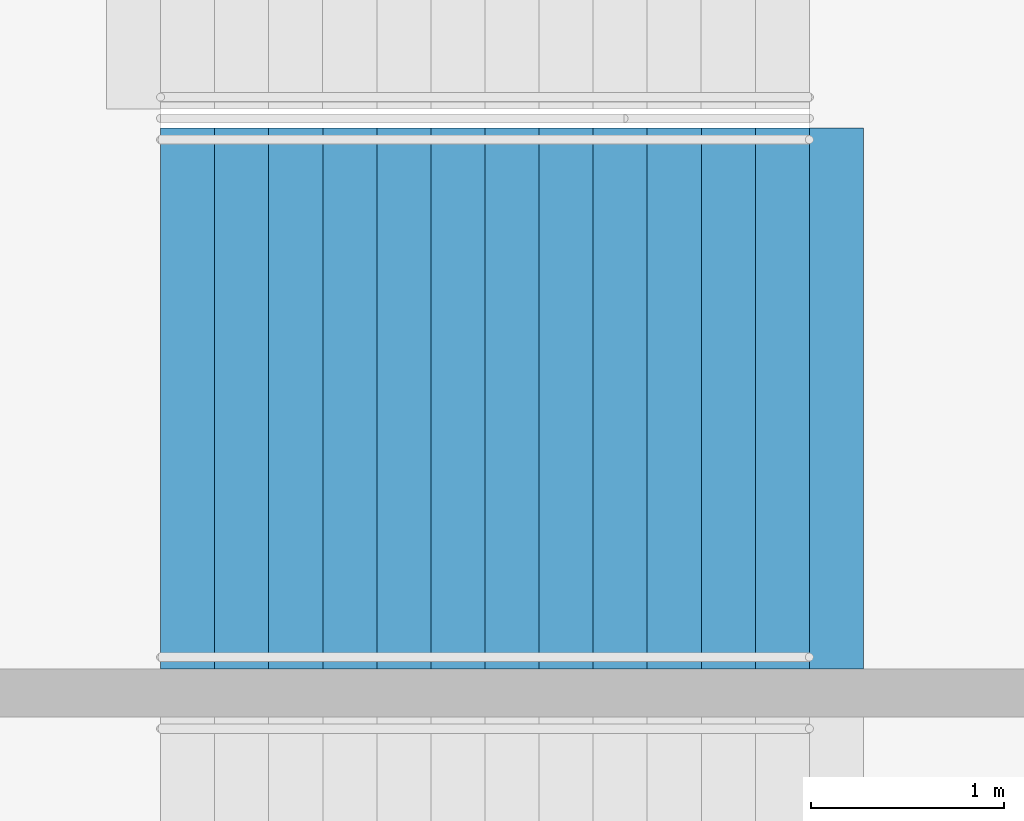
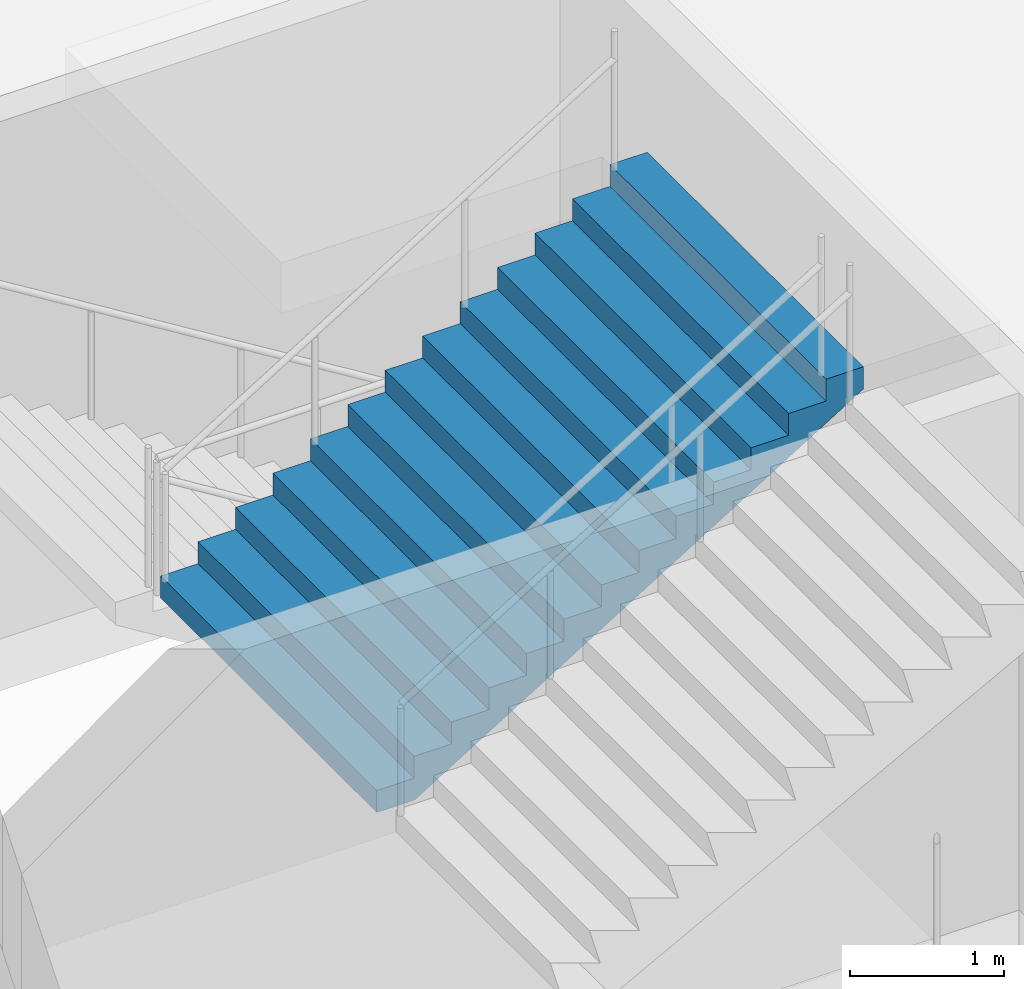
# One storey, part 153 of 199: 1 stair flight, 1 element without a shape of its own.
"""IFC4 building model written with IfcOpenShell, lengths in metres."""

from ifc_helpers import new_model, si_unit, direction, frame, origin, place, context, subcontext, project, spatial, faceted_brep, material, type_object, element, aggregate, save


model = new_model("IFC4")

# Units and contexts
model_context = context("Model", 3, precision=1e-05, world=origin(), true_north=direction((0.0, 1.0)))
body_context = subcontext(model_context, "Body", "Model", "MODEL_VIEW")
ifc_project = project(units=[si_unit("LENGTHUNIT", "METRE"), si_unit("AREAUNIT", "SQUARE_METRE"), si_unit("VOLUMEUNIT", "CUBIC_METRE"), si_unit("PLANEANGLEUNIT", "RADIAN"), si_unit("MASSUNIT", "GRAM", prefix="KILO")], contexts=[model_context])

# Site, building, storey
site_placement = place(None, origin())
site = spatial("IfcSite", under=ifc_project, at=site_placement, CompositionType="ELEMENT")
building_placement = place(site_placement, origin())
building = spatial("IfcBuilding", under=site, at=building_placement, Name="Ogive Plaza Stadium", CompositionType="ELEMENT")
storey_placement = place(building_placement, frame((0.0, 0.0, 9.0)))
storey = spatial("IfcBuildingStorey", under=building, at=storey_placement, Name="L02", CompositionType="ELEMENT", Elevation=9.0)

# Stair, stair flight
ifc_material_1 = material(Name="Concrete C40/50", Category="concrete")
stair_type = type_object("IfcStairType", Name="Exit stair", PredefinedType="STRAIGHT_RUN_STAIR", material=ifc_material_1)
stair_placement = place(storey_placement, origin())
stair = element("IfcStair", 1, at=stair_placement, inside=storey, type_object=stair_type, Name="Exit stair ST28A L02 to L03", PredefinedType="STRAIGHT_RUN_STAIR")
ifc_material_2 = material(Name="Concrete C40/50", Category="concrete")
stair_flight_type = type_object("IfcStairFlightType", Name="Exit stair flight", PredefinedType="STRAIGHT", material=ifc_material_2)
stair_flight_placement = place(storey_placement, frame((-79.7099609375, 54.02490234375, 2.25), z_axis=(0.0, 0.0, 1.0), x_axis=(1.0, 0.0, 0.0)))
stair_flight = element("IfcStairFlight", 2, at=stair_flight_placement, type_object=stair_flight_type, Name="ST28A flight 2", NumberOfRisers=13, NumberOfTreads=12, PredefinedType="STRAIGHT", RiserHeight=0.173076923, TreadLength=0.28, context=body_context, shape_type="Brep", body=[
    faceted_brep([(0.28515625, -1.39990234375, 0.0), (3.639892578125, -1.39990234375, 2.07373046875), (3.639892578125, -1.39990234375, 2.25), (3.360107421875, -1.39990234375, 2.25), (3.360107421875, -1.39990234375, 2.076904296875), (3.080078125, -1.39990234375, 2.076904296875), (3.080078125, -1.39990234375, 1.90380859375), (2.800048828125, -1.39990234375, 1.90380859375), (2.800048828125, -1.39990234375, 1.730712890625), (2.52001953125, -1.39990234375, 1.730712890625), (2.52001953125, -1.39990234375, 1.5576171875), (2.239990234375, -1.39990234375, 1.5576171875), (2.239990234375, -1.39990234375, 1.384521484375), (1.9599609375, -1.39990234375, 1.384521484375), (1.9599609375, -1.39990234375, 1.21142578125), (1.679931640625, -1.39990234375, 1.21142578125), (1.679931640625, -1.39990234375, 1.03857421875), (1.39990234375, -1.39990234375, 1.03857421875), (1.39990234375, -1.39990234375, 0.865478515625), (1.1201171875, -1.39990234375, 0.865478515625), (1.1201171875, -1.39990234375, 0.6923828125), (0.840087890625, -1.39990234375, 0.6923828125), (0.840087890625, -1.39990234375, 0.519287109375), (0.56005859375, -1.39990234375, 0.519287109375), (0.56005859375, -1.39990234375, 0.34619140625), (0.280029296875, -1.39990234375, 0.34619140625), (0.280029296875, -1.39990234375, 0.173095703125), (0.0, -1.39990234375, 0.173095703125), (0.0, -1.39990234375, 0.0), (0.0, 1.39990234375, 0.0), (0.0, 1.39990234375, 0.173095703125), (0.280029296875, 1.39990234375, 0.173095703125), (0.280029296875, 1.39990234375, 0.34619140625), (0.56005859375, 1.39990234375, 0.34619140625), (0.56005859375, 1.39990234375, 0.519287109375), (0.840087890625, 1.39990234375, 0.519287109375), (0.840087890625, 1.39990234375, 0.6923828125), (1.1201171875, 1.39990234375, 0.6923828125), (1.1201171875, 1.39990234375, 0.865478515625), (1.39990234375, 1.39990234375, 0.865478515625), (1.39990234375, 1.39990234375, 1.03857421875), (1.679931640625, 1.39990234375, 1.03857421875), (1.679931640625, 1.39990234375, 1.21142578125), (1.9599609375, 1.39990234375, 1.21142578125), (1.9599609375, 1.39990234375, 1.384521484375), (2.239990234375, 1.39990234375, 1.384521484375), (2.239990234375, 1.39990234375, 1.5576171875), (2.52001953125, 1.39990234375, 1.5576171875), (2.52001953125, 1.39990234375, 1.730712890625), (2.800048828125, 1.39990234375, 1.730712890625), (2.800048828125, 1.39990234375, 1.90380859375), (3.080078125, 1.39990234375, 1.90380859375), (3.080078125, 1.39990234375, 2.076904296875), (3.360107421875, 1.39990234375, 2.076904296875), (3.360107421875, 1.39990234375, 2.25), (3.639892578125, 1.39990234375, 2.25), (3.639892578125, 1.39990234375, 2.07373046875), (0.28515625, 1.39990234375, 0.0), (0.28515625, -1.0888671875, 0.0), (3.639892578125, -1.0888671875, 2.07373046875), (0.28515625, -0.77783203125, 0.0), (3.639892578125, -0.77783203125, 2.07373046875), (0.28515625, -0.466796875, 0.0), (3.639892578125, -0.466796875, 2.07373046875), (0.28515625, -0.155517578125, 0.0), (3.639892578125, -0.155517578125, 2.07373046875), (0.28515625, 0.155517578125, 0.0), (3.639892578125, 0.155517578125, 2.07373046875), (0.28515625, 0.466796875, 0.0), (3.639892578125, 0.466796875, 2.07373046875), (0.28515625, 0.77783203125, 0.0), (3.639892578125, 0.77783203125, 2.07373046875), (0.28515625, 1.0888671875, 0.0), (3.639892578125, 1.0888671875, 2.07373046875), (3.639892578125, -1.0888671875, 2.25), (3.639892578125, -0.77783203125, 2.25), (3.639892578125, -0.466796875, 2.25), (3.639892578125, -0.155517578125, 2.25), (3.639892578125, 0.155517578125, 2.25), (3.639892578125, 0.466796875, 2.25), (3.639892578125, 0.77783203125, 2.25), (3.639892578125, 1.0888671875, 2.25), (3.360107421875, -1.0888671875, 2.25), (3.360107421875, -0.77783203125, 2.25), (3.360107421875, -0.466796875, 2.25), (3.360107421875, -0.155517578125, 2.25), (3.360107421875, 0.155517578125, 2.25), (3.360107421875, 0.466796875, 2.25), (3.360107421875, 0.77783203125, 2.25), (3.360107421875, 1.0888671875, 2.25), (3.360107421875, -1.0888671875, 2.076904296875), (3.360107421875, -0.77783203125, 2.076904296875), (3.360107421875, -0.466796875, 2.076904296875), (3.360107421875, -0.155517578125, 2.076904296875), (3.360107421875, 0.155517578125, 2.076904296875), (3.360107421875, 0.466796875, 2.076904296875), (3.360107421875, 0.77783203125, 2.076904296875), (3.360107421875, 1.0888671875, 2.076904296875), (3.080078125, -1.0888671875, 2.076904296875), (3.080078125, -0.77783203125, 2.076904296875), (3.080078125, -0.466796875, 2.076904296875), (3.080078125, -0.155517578125, 2.076904296875), (3.080078125, 0.155517578125, 2.076904296875), (3.080078125, 0.466796875, 2.076904296875), (3.080078125, 0.77783203125, 2.076904296875), (3.080078125, 1.0888671875, 2.076904296875), (3.080078125, -1.0888671875, 1.90380859375), (3.080078125, -0.77783203125, 1.90380859375), (3.080078125, -0.466796875, 1.90380859375), (3.080078125, -0.155517578125, 1.90380859375), (3.080078125, 0.155517578125, 1.90380859375), (3.080078125, 0.466796875, 1.90380859375), (3.080078125, 0.77783203125, 1.90380859375), (3.080078125, 1.0888671875, 1.90380859375), (2.800048828125, -1.0888671875, 1.90380859375), (2.800048828125, -0.77783203125, 1.90380859375), (2.800048828125, -0.466796875, 1.90380859375), (2.800048828125, -0.155517578125, 1.90380859375), (2.800048828125, 0.155517578125, 1.90380859375), (2.800048828125, 0.466796875, 1.90380859375), (2.800048828125, 0.77783203125, 1.90380859375), (2.800048828125, 1.0888671875, 1.90380859375), (2.800048828125, -1.0888671875, 1.730712890625), (2.800048828125, -0.77783203125, 1.730712890625), (2.800048828125, -0.466796875, 1.730712890625), (2.800048828125, -0.155517578125, 1.730712890625), (2.800048828125, 0.155517578125, 1.730712890625), (2.800048828125, 0.466796875, 1.730712890625), (2.800048828125, 0.77783203125, 1.730712890625), (2.800048828125, 1.0888671875, 1.730712890625), (2.52001953125, -1.0888671875, 1.730712890625), (2.52001953125, -0.77783203125, 1.730712890625), (2.52001953125, -0.466796875, 1.730712890625), (2.52001953125, -0.155517578125, 1.730712890625), (2.52001953125, 0.155517578125, 1.730712890625), (2.52001953125, 0.466796875, 1.730712890625), (2.52001953125, 0.77783203125, 1.730712890625), (2.52001953125, 1.0888671875, 1.730712890625), (2.52001953125, -1.0888671875, 1.5576171875), (2.52001953125, -0.77783203125, 1.5576171875), (2.52001953125, -0.466796875, 1.5576171875), (2.52001953125, -0.155517578125, 1.5576171875), (2.52001953125, 0.155517578125, 1.5576171875), (2.52001953125, 0.466796875, 1.5576171875), (2.52001953125, 0.77783203125, 1.5576171875), (2.52001953125, 1.0888671875, 1.5576171875), (2.239990234375, -1.0888671875, 1.5576171875), (2.239990234375, -0.77783203125, 1.5576171875), (2.239990234375, -0.466796875, 1.5576171875), (2.239990234375, -0.155517578125, 1.5576171875), (2.239990234375, 0.155517578125, 1.5576171875), (2.239990234375, 0.466796875, 1.5576171875), (2.239990234375, 0.77783203125, 1.5576171875), (2.239990234375, 1.0888671875, 1.5576171875), (2.239990234375, -1.0888671875, 1.384521484375), (2.239990234375, -0.77783203125, 1.384521484375), (2.239990234375, -0.466796875, 1.384521484375), (2.239990234375, -0.155517578125, 1.384521484375), (2.239990234375, 0.155517578125, 1.384521484375), (2.239990234375, 0.466796875, 1.384521484375), (2.239990234375, 0.77783203125, 1.384521484375), (2.239990234375, 1.0888671875, 1.384521484375), (1.9599609375, -1.0888671875, 1.384521484375), (1.9599609375, -0.77783203125, 1.384521484375), (1.9599609375, -0.466796875, 1.384521484375), (1.9599609375, -0.155517578125, 1.384521484375), (1.9599609375, 0.155517578125, 1.384521484375), (1.9599609375, 0.466796875, 1.384521484375), (1.9599609375, 0.77783203125, 1.384521484375), (1.9599609375, 1.0888671875, 1.384521484375), (1.9599609375, -1.0888671875, 1.21142578125), (1.9599609375, -0.77783203125, 1.21142578125), (1.9599609375, -0.466796875, 1.21142578125), (1.9599609375, -0.155517578125, 1.21142578125), (1.9599609375, 0.155517578125, 1.21142578125), (1.9599609375, 0.466796875, 1.21142578125), (1.9599609375, 0.77783203125, 1.21142578125), (1.9599609375, 1.0888671875, 1.21142578125), (1.679931640625, -1.0888671875, 1.21142578125), (1.679931640625, -0.77783203125, 1.21142578125), (1.679931640625, -0.466796875, 1.21142578125), (1.679931640625, -0.155517578125, 1.21142578125), (1.679931640625, 0.155517578125, 1.21142578125), (1.679931640625, 0.466796875, 1.21142578125), (1.679931640625, 0.77783203125, 1.21142578125), (1.679931640625, 1.0888671875, 1.21142578125), (1.679931640625, -1.0888671875, 1.03857421875), (1.679931640625, -0.77783203125, 1.03857421875), (1.679931640625, -0.466796875, 1.03857421875), (1.679931640625, -0.155517578125, 1.03857421875), (1.679931640625, 0.155517578125, 1.03857421875), (1.679931640625, 0.466796875, 1.03857421875), (1.679931640625, 0.77783203125, 1.03857421875), (1.679931640625, 1.0888671875, 1.03857421875), (1.39990234375, -1.0888671875, 1.03857421875), (1.39990234375, -0.77783203125, 1.03857421875), (1.39990234375, -0.466796875, 1.03857421875), (1.39990234375, -0.155517578125, 1.03857421875), (1.39990234375, 0.155517578125, 1.03857421875), (1.39990234375, 0.466796875, 1.03857421875), (1.39990234375, 0.77783203125, 1.03857421875), (1.39990234375, 1.0888671875, 1.03857421875), (1.39990234375, -1.0888671875, 0.865478515625), (1.39990234375, -0.77783203125, 0.865478515625), (1.39990234375, -0.466796875, 0.865478515625), (1.39990234375, -0.155517578125, 0.865478515625), (1.39990234375, 0.155517578125, 0.865478515625), (1.39990234375, 0.466796875, 0.865478515625), (1.39990234375, 0.77783203125, 0.865478515625), (1.39990234375, 1.0888671875, 0.865478515625), (1.1201171875, -1.0888671875, 0.865478515625), (1.1201171875, -0.77783203125, 0.865478515625), (1.1201171875, -0.466796875, 0.865478515625), (1.1201171875, -0.155517578125, 0.865478515625), (1.1201171875, 0.155517578125, 0.865478515625), (1.1201171875, 0.466796875, 0.865478515625), (1.1201171875, 0.77783203125, 0.865478515625), (1.1201171875, 1.0888671875, 0.865478515625), (1.1201171875, -1.0888671875, 0.6923828125), (1.1201171875, -0.77783203125, 0.6923828125), (1.1201171875, -0.466796875, 0.6923828125), (1.1201171875, -0.155517578125, 0.6923828125), (1.1201171875, 0.155517578125, 0.6923828125), (1.1201171875, 0.466796875, 0.6923828125), (1.1201171875, 0.77783203125, 0.6923828125), (1.1201171875, 1.0888671875, 0.6923828125), (0.840087890625, -1.0888671875, 0.6923828125), (0.840087890625, -0.77783203125, 0.6923828125), (0.840087890625, -0.466796875, 0.6923828125), (0.840087890625, -0.155517578125, 0.6923828125), (0.840087890625, 0.155517578125, 0.6923828125), (0.840087890625, 0.466796875, 0.6923828125), (0.840087890625, 0.77783203125, 0.6923828125), (0.840087890625, 1.0888671875, 0.6923828125), (0.840087890625, -1.0888671875, 0.519287109375), (0.840087890625, -0.77783203125, 0.519287109375), (0.840087890625, -0.466796875, 0.519287109375), (0.840087890625, -0.155517578125, 0.519287109375), (0.840087890625, 0.155517578125, 0.519287109375), (0.840087890625, 0.466796875, 0.519287109375), (0.840087890625, 0.77783203125, 0.519287109375), (0.840087890625, 1.0888671875, 0.519287109375), (0.56005859375, -1.0888671875, 0.519287109375), (0.56005859375, -0.77783203125, 0.519287109375), (0.56005859375, -0.466796875, 0.519287109375), (0.56005859375, -0.155517578125, 0.519287109375), (0.56005859375, 0.155517578125, 0.519287109375), (0.56005859375, 0.466796875, 0.519287109375), (0.56005859375, 0.77783203125, 0.519287109375), (0.56005859375, 1.0888671875, 0.519287109375), (0.56005859375, -1.0888671875, 0.34619140625), (0.56005859375, -0.77783203125, 0.34619140625), (0.56005859375, -0.466796875, 0.34619140625), (0.56005859375, -0.155517578125, 0.34619140625), (0.56005859375, 0.155517578125, 0.34619140625), (0.56005859375, 0.466796875, 0.34619140625), (0.56005859375, 0.77783203125, 0.34619140625), (0.56005859375, 1.0888671875, 0.34619140625), (0.280029296875, -1.0888671875, 0.34619140625), (0.280029296875, -0.77783203125, 0.34619140625), (0.280029296875, -0.466796875, 0.34619140625), (0.280029296875, -0.155517578125, 0.34619140625), (0.280029296875, 0.155517578125, 0.34619140625), (0.280029296875, 0.466796875, 0.34619140625), (0.280029296875, 0.77783203125, 0.34619140625), (0.280029296875, 1.0888671875, 0.34619140625), (0.280029296875, -1.0888671875, 0.173095703125), (0.280029296875, -0.77783203125, 0.173095703125), (0.280029296875, -0.466796875, 0.173095703125), (0.280029296875, -0.155517578125, 0.173095703125), (0.280029296875, 0.155517578125, 0.173095703125), (0.280029296875, 0.466796875, 0.173095703125), (0.280029296875, 0.77783203125, 0.173095703125), (0.280029296875, 1.0888671875, 0.173095703125), (0.0, -1.0888671875, 0.173095703125), (0.0, -0.77783203125, 0.173095703125), (0.0, -0.466796875, 0.173095703125), (0.0, -0.155517578125, 0.173095703125), (0.0, 0.155517578125, 0.173095703125), (0.0, 0.466796875, 0.173095703125), (0.0, 0.77783203125, 0.173095703125), (0.0, 1.0888671875, 0.173095703125), (0.0, -1.0888671875, 0.0), (0.0, -0.77783203125, 0.0), (0.0, -0.466796875, 0.0), (0.0, -0.155517578125, 0.0), (0.0, 0.155517578125, 0.0), (0.0, 0.466796875, 0.0), (0.0, 0.77783203125, 0.0), (0.0, 1.0888671875, 0.0)], [[[0, 1, 2, 3, 4, 5, 6, 7, 8, 9, 10, 11, 12, 13, 14, 15, 16, 17, 18, 19, 20, 21, 22, 23, 24, 25, 26, 27, 28]], [[29, 30, 31, 32, 33, 34, 35, 36, 37, 38, 39, 40, 41, 42, 43, 44, 45, 46, 47, 48, 49, 50, 51, 52, 53, 54, 55, 56, 57]], [[0, 58, 59, 1]], [[58, 60, 61, 59]], [[60, 62, 63, 61]], [[62, 64, 65, 63]], [[64, 66, 67, 65]], [[66, 68, 69, 67]], [[68, 70, 71, 69]], [[70, 72, 73, 71]], [[72, 57, 56, 73]], [[1, 59, 74, 2]], [[59, 61, 75, 74]], [[61, 63, 76, 75]], [[63, 65, 77, 76]], [[65, 67, 78, 77]], [[67, 69, 79, 78]], [[69, 71, 80, 79]], [[71, 73, 81, 80]], [[73, 56, 55, 81]], [[2, 74, 82, 3]], [[74, 75, 83, 82]], [[75, 76, 84, 83]], [[76, 77, 85, 84]], [[77, 78, 86, 85]], [[78, 79, 87, 86]], [[79, 80, 88, 87]], [[80, 81, 89, 88]], [[81, 55, 54, 89]], [[3, 82, 90, 4]], [[82, 83, 91, 90]], [[83, 84, 92, 91]], [[84, 85, 93, 92]], [[85, 86, 94, 93]], [[86, 87, 95, 94]], [[87, 88, 96, 95]], [[88, 89, 97, 96]], [[89, 54, 53, 97]], [[4, 90, 98, 5]], [[90, 91, 99, 98]], [[91, 92, 100, 99]], [[92, 93, 101, 100]], [[93, 94, 102, 101]], [[94, 95, 103, 102]], [[95, 96, 104, 103]], [[96, 97, 105, 104]], [[97, 53, 52, 105]], [[5, 98, 106, 6]], [[98, 99, 107, 106]], [[99, 100, 108, 107]], [[100, 101, 109, 108]], [[101, 102, 110, 109]], [[102, 103, 111, 110]], [[103, 104, 112, 111]], [[104, 105, 113, 112]], [[105, 52, 51, 113]], [[6, 106, 114, 7]], [[106, 107, 115, 114]], [[107, 108, 116, 115]], [[108, 109, 117, 116]], [[109, 110, 118, 117]], [[110, 111, 119, 118]], [[111, 112, 120, 119]], [[112, 113, 121, 120]], [[113, 51, 50, 121]], [[7, 114, 122, 8]], [[114, 115, 123, 122]], [[115, 116, 124, 123]], [[116, 117, 125, 124]], [[117, 118, 126, 125]], [[118, 119, 127, 126]], [[119, 120, 128, 127]], [[120, 121, 129, 128]], [[121, 50, 49, 129]], [[8, 122, 130, 9]], [[122, 123, 131, 130]], [[123, 124, 132, 131]], [[124, 125, 133, 132]], [[125, 126, 134, 133]], [[126, 127, 135, 134]], [[127, 128, 136, 135]], [[128, 129, 137, 136]], [[129, 49, 48, 137]], [[9, 130, 138, 10]], [[130, 131, 139, 138]], [[131, 132, 140, 139]], [[132, 133, 141, 140]], [[133, 134, 142, 141]], [[134, 135, 143, 142]], [[135, 136, 144, 143]], [[136, 137, 145, 144]], [[137, 48, 47, 145]], [[10, 138, 146, 11]], [[138, 139, 147, 146]], [[139, 140, 148, 147]], [[140, 141, 149, 148]], [[141, 142, 150, 149]], [[142, 143, 151, 150]], [[143, 144, 152, 151]], [[144, 145, 153, 152]], [[145, 47, 46, 153]], [[11, 146, 154, 12]], [[146, 147, 155, 154]], [[147, 148, 156, 155]], [[148, 149, 157, 156]], [[149, 150, 158, 157]], [[150, 151, 159, 158]], [[151, 152, 160, 159]], [[152, 153, 161, 160]], [[153, 46, 45, 161]], [[12, 154, 162, 13]], [[154, 155, 163, 162]], [[155, 156, 164, 163]], [[156, 157, 165, 164]], [[157, 158, 166, 165]], [[158, 159, 167, 166]], [[159, 160, 168, 167]], [[160, 161, 169, 168]], [[161, 45, 44, 169]], [[13, 162, 170, 14]], [[162, 163, 171, 170]], [[163, 164, 172, 171]], [[164, 165, 173, 172]], [[165, 166, 174, 173]], [[166, 167, 175, 174]], [[167, 168, 176, 175]], [[168, 169, 177, 176]], [[169, 44, 43, 177]], [[14, 170, 178, 15]], [[170, 171, 179, 178]], [[171, 172, 180, 179]], [[172, 173, 181, 180]], [[173, 174, 182, 181]], [[174, 175, 183, 182]], [[175, 176, 184, 183]], [[176, 177, 185, 184]], [[177, 43, 42, 185]], [[15, 178, 186, 16]], [[178, 179, 187, 186]], [[179, 180, 188, 187]], [[180, 181, 189, 188]], [[181, 182, 190, 189]], [[182, 183, 191, 190]], [[183, 184, 192, 191]], [[184, 185, 193, 192]], [[185, 42, 41, 193]], [[16, 186, 194, 17]], [[186, 187, 195, 194]], [[187, 188, 196, 195]], [[188, 189, 197, 196]], [[189, 190, 198, 197]], [[190, 191, 199, 198]], [[191, 192, 200, 199]], [[192, 193, 201, 200]], [[193, 41, 40, 201]], [[17, 194, 202, 18]], [[194, 195, 203, 202]], [[195, 196, 204, 203]], [[196, 197, 205, 204]], [[197, 198, 206, 205]], [[198, 199, 207, 206]], [[199, 200, 208, 207]], [[200, 201, 209, 208]], [[201, 40, 39, 209]], [[18, 202, 210, 19]], [[202, 203, 211, 210]], [[203, 204, 212, 211]], [[204, 205, 213, 212]], [[205, 206, 214, 213]], [[206, 207, 215, 214]], [[207, 208, 216, 215]], [[208, 209, 217, 216]], [[209, 39, 38, 217]], [[19, 210, 218, 20]], [[210, 211, 219, 218]], [[211, 212, 220, 219]], [[212, 213, 221, 220]], [[213, 214, 222, 221]], [[214, 215, 223, 222]], [[215, 216, 224, 223]], [[216, 217, 225, 224]], [[217, 38, 37, 225]], [[20, 218, 226, 21]], [[218, 219, 227, 226]], [[219, 220, 228, 227]], [[220, 221, 229, 228]], [[221, 222, 230, 229]], [[222, 223, 231, 230]], [[223, 224, 232, 231]], [[224, 225, 233, 232]], [[225, 37, 36, 233]], [[21, 226, 234, 22]], [[226, 227, 235, 234]], [[227, 228, 236, 235]], [[228, 229, 237, 236]], [[229, 230, 238, 237]], [[230, 231, 239, 238]], [[231, 232, 240, 239]], [[232, 233, 241, 240]], [[233, 36, 35, 241]], [[22, 234, 242, 23]], [[234, 235, 243, 242]], [[235, 236, 244, 243]], [[236, 237, 245, 244]], [[237, 238, 246, 245]], [[238, 239, 247, 246]], [[239, 240, 248, 247]], [[240, 241, 249, 248]], [[241, 35, 34, 249]], [[23, 242, 250, 24]], [[242, 243, 251, 250]], [[243, 244, 252, 251]], [[244, 245, 253, 252]], [[245, 246, 254, 253]], [[246, 247, 255, 254]], [[247, 248, 256, 255]], [[248, 249, 257, 256]], [[249, 34, 33, 257]], [[24, 250, 258, 25]], [[250, 251, 259, 258]], [[251, 252, 260, 259]], [[252, 253, 261, 260]], [[253, 254, 262, 261]], [[254, 255, 263, 262]], [[255, 256, 264, 263]], [[256, 257, 265, 264]], [[257, 33, 32, 265]], [[25, 258, 266, 26]], [[258, 259, 267, 266]], [[259, 260, 268, 267]], [[260, 261, 269, 268]], [[261, 262, 270, 269]], [[262, 263, 271, 270]], [[263, 264, 272, 271]], [[264, 265, 273, 272]], [[265, 32, 31, 273]], [[26, 266, 274, 27]], [[266, 267, 275, 274]], [[267, 268, 276, 275]], [[268, 269, 277, 276]], [[269, 270, 278, 277]], [[270, 271, 279, 278]], [[271, 272, 280, 279]], [[272, 273, 281, 280]], [[273, 31, 30, 281]], [[27, 274, 282, 28]], [[274, 275, 283, 282]], [[275, 276, 284, 283]], [[276, 277, 285, 284]], [[277, 278, 286, 285]], [[278, 279, 287, 286]], [[279, 280, 288, 287]], [[280, 281, 289, 288]], [[281, 30, 29, 289]], [[28, 282, 58, 0]], [[282, 283, 60, 58]], [[283, 284, 62, 60]], [[284, 285, 64, 62]], [[285, 286, 66, 64]], [[286, 287, 68, 66]], [[287, 288, 70, 68]], [[288, 289, 72, 70]], [[289, 29, 57, 72]]]),
])
aggregate(stair, [stair_flight])

save(model, "model.ifc")
